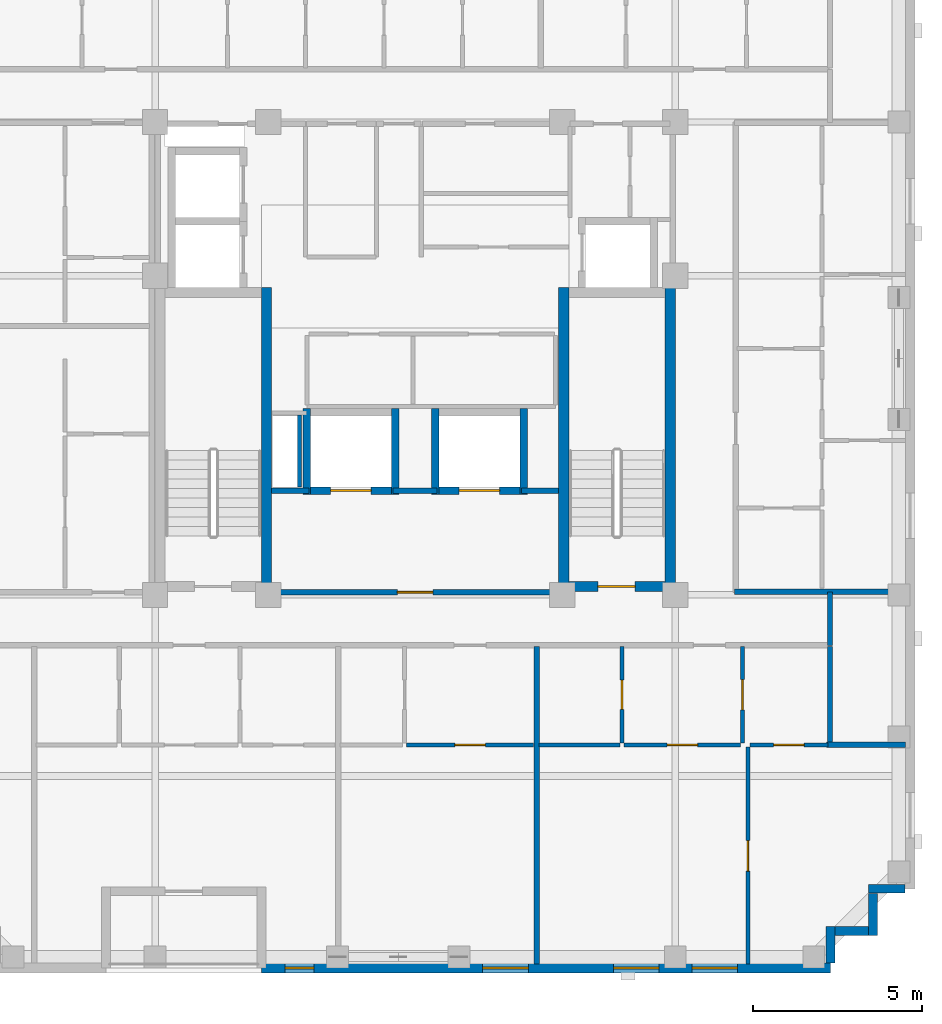
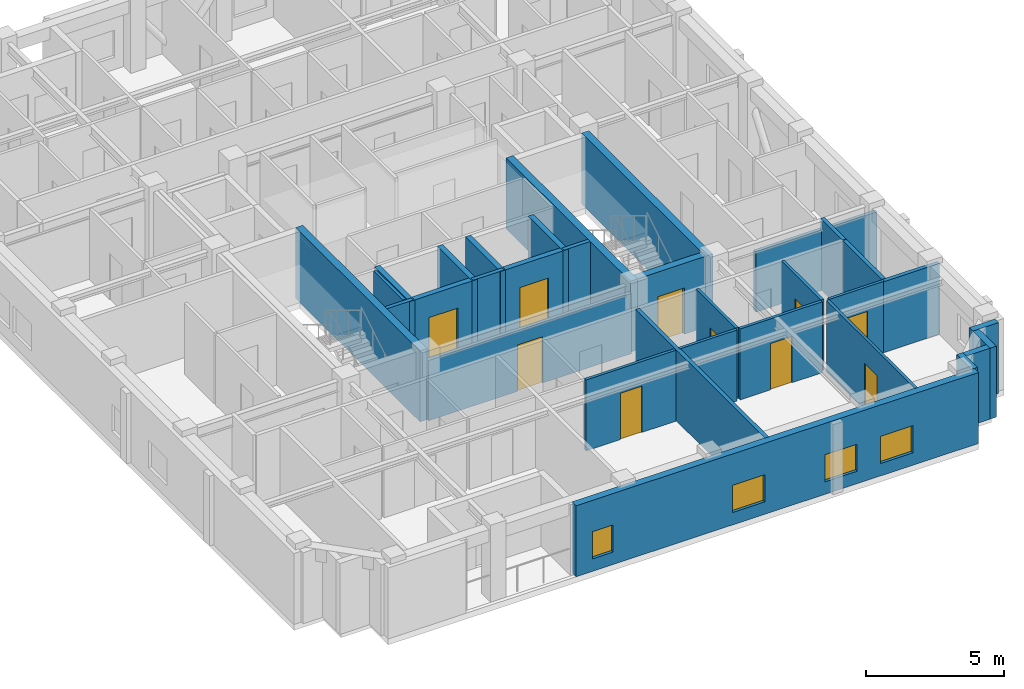
# One storey, part 3 of 11: 32 walls, 10 doors, 4 windows, 14 openings.
"""IFC4 building model written with IfcOpenShell, lengths in metres."""

from ifc_helpers import new_model, si_unit, derived_unit, direction, frame, frame_2d, origin, place, context, subcontext, project, spatial, rectangle, extrude, material, layer, layer_set, type_object, element, fill, save


model = new_model("IFC4")

# Units and contexts
model_context = context("Model", 3, precision=1e-05, world=origin(), true_north=direction((0.0, 1.0)))
body_context = subcontext(model_context, "Body", "Model", "MODEL_VIEW")
ifc_project = project(units=[si_unit("LENGTHUNIT", "METRE"), si_unit("AREAUNIT", "SQUARE_METRE"), si_unit("VOLUMEUNIT", "CUBIC_METRE"), si_unit("PLANEANGLEUNIT", "RADIAN"), si_unit("MASSUNIT", "GRAM", prefix="KILO"), derived_unit("THERMALTRANSMITTANCEUNIT", [(si_unit("MASSUNIT", "GRAM", prefix="KILO"), 1), (si_unit("TIMEUNIT", "SECOND"), -3), (si_unit("THERMODYNAMICTEMPERATUREUNIT", "KELVIN"), -1)])], contexts=[model_context])

# Site, building, storey
site_placement = place(None, origin())
site = spatial("IfcSite", under=ifc_project, at=site_placement, CompositionType="ELEMENT")
building_placement = place(site_placement, origin())
building = spatial("IfcBuilding", under=site, at=building_placement, Name="Korrvale Station Residences", CompositionType="ELEMENT")
storey_placement = place(building_placement, frame((0.0, 0.0, 251.300048828125)))
storey = spatial("IfcBuildingStorey", under=building, at=storey_placement, Name="L73", CompositionType="ELEMENT", Elevation=251.300048828125)

# Walls
ifc_material_1 = material(Name="Concrete C50/60", Category="concrete")
ifc_layer_1 = layer(ifc_material_1, 0.300048828125, Name="Concrete C50/60")
ifc_layer_set_1 = layer_set([ifc_layer_1], Name="Concrete C50/60")
wall_type_1 = type_object("IfcWallType", Name="WAL-CORE-300-C50", PredefinedType="SHEAR", material=ifc_layer_set_1)
for number, where, z_axis, x_axis, name in (
    (1, (21.10009765625, 15.10009765625, 0.0), (0.0, 0.0, 1.0), (0.0, 1.0, 0.0), "L73 ST-1 Core Shear Wall East"),
    (2, (29.89990234375, 15.10009765625, 0.0), (0.0, 0.0, 1.0), (0.0, 1.0, 0.0), "L73 ST-2 Core Shear Wall West"),
    (3, (33.050048828125, 15.10009765625, 0.0), (0.0, 0.0, 1.0), (0.0, 1.0, 0.0), "L73 ST-2 Core Shear Wall East"),
):
    element("IfcWall", number, at=place(storey_placement, frame(where, z_axis=z_axis, x_axis=x_axis)), inside=storey, type_object=wall_type_1, Name=name, PredefinedType="SHEAR", context=body_context, shape_type="SweptSolid", body=[
        extrude(rectangle(XDim=9.0, YDim=0.300048828125, at=frame_2d((4.5, 0.0))), origin(), (0.0, 0.0, 1.0), 3.139892578125),
    ])

# Wall, opening, door
wall_1_placement = place(storey_placement, frame((30.050048828125, 15.25, 0.0), z_axis=(0.0, 0.0, 1.0), x_axis=(1.0, 0.0, 0.0)))
wall_1 = element("IfcWall", 4, at=wall_1_placement, inside=storey, type_object=wall_type_1, Name="L73 ST-2 Core Shear Wall South", PredefinedType="SHEAR", context=body_context, shape_type="SweptSolid", body=[
    extrude(rectangle(XDim=2.849853515625, YDim=0.300048828125, at=frame_2d((1.4248046875, 0.0))), origin(), (0.0, 0.0, 1.0), 3.139892578125),
])
opening_1_placement = place(wall_1_placement, frame((0.860107421875, 0.0, 0.0)))
opening_1 = element("IfcOpeningElement", 5, at=opening_1_placement, cuts=wall_1, Name="Opening SD-1100", PredefinedType="OPENING", context=body_context, shape_type="SweptSolid", body=[
    extrude(rectangle(XDim=1.10009765625, YDim=2.050048828125, at=frame_2d((0.550048828125, 1.02490234375))), frame((0.0, 0.16015625, 0.0), z_axis=(0.0, -1.0, 0.0), x_axis=(1.0, 0.0, 0.0)), (0.0, 0.0, 1.0), 0.320068359375),
])
ifc_material_2 = material(Name="Hollow-metal fire-rated stair door with closer", Category="steel")
door_type_1 = type_object("IfcDoorType", Name="DR-STAIR-1100", OperationType="NOTDEFINED", PredefinedType="DOOR", material=ifc_material_2)
door_1_placement = place(opening_1_placement, origin())
door_1 = element("IfcDoor", 6, at=door_1_placement, inside=storey, type_object=door_type_1, Name="L73 ST-2 Exit Stair Door", OperationType="SINGLE_SWING_RIGHT", OverallHeight=2.050048828125, OverallWidth=1.10009765625, PredefinedType="DOOR", context=body_context, shape_type="SweptSolid", body=[
    extrude(rectangle(XDim=1.10009765625, YDim=2.050048828125, at=frame_2d((0.550048828125, 1.02490234375))), frame((0.0, 0.02490234375, 0.0), z_axis=(0.0, -1.0, 0.0), x_axis=(1.0, 0.0, 0.0)), (0.0, 0.0, 1.0), 0.050048828125),
])
fill(opening_1, door_1)

# Walls
ifc_material_3 = material(Name="Precast concrete C45/55", Category="concrete")
ifc_layer_2 = layer(ifc_material_3, 0.260009765625, Name="Precast concrete C45/55")
ifc_layer_set_2 = layer_set([ifc_layer_2], Name="Precast concrete C45/55")
wall_type_2 = type_object("IfcWallType", Name="WAL-EXT-LOG260", PredefinedType="SOLIDWALL", material=ifc_layer_set_2)
wall_2_placement = place(storey_placement, frame((39.998046875, 6.300048828125, 0.0), z_axis=(0.0, 0.0, 1.0), x_axis=(-1.0, 0.0, 0.0)))
element("IfcWall", 7, at=wall_2_placement, inside=storey, type_object=wall_type_2, Name="L73 Serrated Corner Precast Step SE-1", PredefinedType="SOLIDWALL", context=body_context, shape_type="SweptSolid", body=[
    extrude(rectangle(XDim=1.078125, YDim=0.260009765625, at=frame_2d((0.5390625, 0.0))), origin(), (0.0, 0.0, 1.0), 3.139892578125),
])
wall_3_placement = place(storey_placement, frame((39.050048828125, 6.16796875, 0.0), z_axis=(0.0, 0.0, 1.0), x_axis=(0.0, -1.0, 0.0)))
element("IfcWall", 8, at=wall_3_placement, inside=storey, type_object=wall_type_2, Name="L73 Serrated Corner Precast Step SE-2", PredefinedType="SOLIDWALL", context=body_context, shape_type="SweptSolid", body=[
    extrude(rectangle(XDim=1.248046875, YDim=0.260009765625, at=frame_2d((0.6240234375, 0.0))), origin(), (0.0, 0.0, 1.0), 3.139892578125),
])
wall_4_placement = place(storey_placement, frame((38.91796875, 5.050048828125, 0.0), z_axis=(0.0, 0.0, 1.0), x_axis=(-1.0, 0.0, 0.0)))
element("IfcWall", 9, at=wall_4_placement, inside=storey, type_object=wall_type_2, Name="L73 Serrated Corner Precast Step SE-3", PredefinedType="SOLIDWALL", context=body_context, shape_type="SweptSolid", body=[
    extrude(rectangle(XDim=0.986083984375, YDim=0.260009765625, at=frame_2d((0.4931640625, 0.0))), origin(), (0.0, 0.0, 1.0), 3.139892578125),
])
wall_5_placement = place(storey_placement, frame((37.800048828125, 5.179931640625, 0.0), z_axis=(0.0, 0.0, 1.0), x_axis=(0.0, -1.0, 0.0)))
element("IfcWall", 10, at=wall_5_placement, inside=storey, type_object=wall_type_2, Name="L73 Serrated Corner Precast Step SE-4", PredefinedType="SOLIDWALL", context=body_context, shape_type="SweptSolid", body=[
    extrude(rectangle(XDim=1.077880859375, YDim=0.260009765625, at=frame_2d((0.5390625, 0.0))), origin(), (0.0, 0.0, 1.0), 3.139892578125),
])

# Wall, openings, windows
ifc_layer_3 = layer(ifc_material_3, 0.300048828125, Name="Precast concrete C45/55")
ifc_layer_set_3 = layer_set([ifc_layer_3], Name="Precast concrete C45/55")
wall_type_3 = type_object("IfcWallType", Name="WAL-EXT-PC300", PredefinedType="SOLIDWALL", material=ifc_layer_set_3)
wall_6_placement = place(storey_placement, frame((37.800048828125, 3.949951171875, 0.0), z_axis=(0.0, 0.0, 1.0), x_axis=(-1.0, 0.0, 0.0)))
wall_6 = element("IfcWall", 11, at=wall_6_placement, inside=storey, type_object=wall_type_3, Name="L73 South Exterior Precast Wall 1", PredefinedType="SOLIDWALL", context=body_context, shape_type="SweptSolid", body=[
    extrude(rectangle(XDim=16.85009765625, YDim=0.300048828125, at=frame_2d((8.425048828125, 0.0))), origin(), (0.0, 0.0, 1.0), 3.139892578125),
])
opening_2_placement = place(wall_6_placement, frame((15.300048828125, 0.0, 0.550048828125)))
opening_2 = element("IfcOpeningElement", 12, at=opening_2_placement, cuts=wall_6, Name="Opening W-11", PredefinedType="OPENING", context=body_context, shape_type="SweptSolid", body=[
    extrude(rectangle(XDim=0.85009765625, YDim=1.199951171875, at=frame_2d((0.425048828125, 0.60009765625))), frame((0.0, 0.16015625, 0.0), z_axis=(0.0, -1.0, 0.0), x_axis=(1.0, 0.0, 0.0)), (0.0, 0.0, 1.0), 0.320068359375),
])
opening_3_placement = place(wall_6_placement, frame((8.949951171875, 0.0, 0.550048828125)))
opening_3 = element("IfcOpeningElement", 13, at=opening_3_placement, cuts=wall_6, Name="Opening W-10", PredefinedType="OPENING", context=body_context, shape_type="SweptSolid", body=[
    extrude(rectangle(XDim=1.35009765625, YDim=1.199951171875, at=frame_2d((0.675048828125, 0.60009765625))), frame((0.0, 0.16015625, 0.0), z_axis=(0.0, -1.0, 0.0), x_axis=(1.0, 0.0, 0.0)), (0.0, 0.0, 1.0), 0.320068359375),
])
opening_4_placement = place(wall_6_placement, frame((5.0849609375, 0.0, 0.550048828125)))
opening_4 = element("IfcOpeningElement", 14, at=opening_4_placement, cuts=wall_6, Name="Opening W-10", PredefinedType="OPENING", context=body_context, shape_type="SweptSolid", body=[
    extrude(rectangle(XDim=1.35009765625, YDim=1.199951171875, at=frame_2d((0.675048828125, 0.60009765625))), frame((0.0, 0.16015625, 0.0), z_axis=(0.0, -1.0, 0.0), x_axis=(1.0, 0.0, 0.0)), (0.0, 0.0, 1.0), 0.320068359375),
])
opening_5_placement = place(wall_6_placement, frame((2.757080078125, 0.0, 0.550048828125)))
opening_5 = element("IfcOpeningElement", 15, at=opening_5_placement, cuts=wall_6, Name="Opening W-10", PredefinedType="OPENING", context=body_context, shape_type="SweptSolid", body=[
    extrude(rectangle(XDim=1.35009765625, YDim=1.199951171875, at=frame_2d((0.675048828125, 0.60009765625))), frame((0.0, 0.16015625, 0.0), z_axis=(0.0, -1.0, 0.0), x_axis=(1.0, 0.0, 0.0)), (0.0, 0.0, 1.0), 0.320068359375),
])
ifc_material_4 = material(Name="Thermally broken aluminium frame with triple low-e glazing", Category="aluminium")
window_type_1 = type_object("IfcWindowType", Name="WIN-W10", PartitioningType="SINGLE_PANEL", PredefinedType="WINDOW", material=ifc_material_4)
window_1_placement = place(opening_3_placement, origin())
window_1 = element("IfcWindow", 16, at=window_1_placement, inside=storey, type_object=window_type_1, Name="L73 Punched Window 02", OverallHeight=1.199951171875, OverallWidth=1.35009765625, PartitioningType="SINGLE_PANEL", PredefinedType="WINDOW", context=body_context, shape_type="SweptSolid", body=[
    extrude(rectangle(XDim=1.35009765625, YDim=1.199951171875, at=frame_2d((0.675048828125, 0.60009765625))), frame((0.0, 0.030029296875, 0.0), z_axis=(0.0, -1.0, 0.0), x_axis=(1.0, 0.0, 0.0)), (0.0, 0.0, 1.0), 0.06005859375),
])
fill(opening_3, window_1)
window_2_placement = place(opening_4_placement, origin())
window_2 = element("IfcWindow", 17, at=window_2_placement, inside=storey, type_object=window_type_1, Name="L73 Punched Window 03", OverallHeight=1.199951171875, OverallWidth=1.35009765625, PartitioningType="SINGLE_PANEL", PredefinedType="WINDOW", context=body_context, shape_type="SweptSolid", body=[
    extrude(rectangle(XDim=1.35009765625, YDim=1.199951171875, at=frame_2d((0.675048828125, 0.60009765625))), frame((0.0, 0.030029296875, 0.0), z_axis=(0.0, -1.0, 0.0), x_axis=(1.0, 0.0, 0.0)), (0.0, 0.0, 1.0), 0.06005859375),
])
fill(opening_4, window_2)
window_3_placement = place(opening_5_placement, origin())
window_3 = element("IfcWindow", 18, at=window_3_placement, inside=storey, type_object=window_type_1, Name="L73 Punched Window 04", OverallHeight=1.199951171875, OverallWidth=1.35009765625, PartitioningType="SINGLE_PANEL", PredefinedType="WINDOW", context=body_context, shape_type="SweptSolid", body=[
    extrude(rectangle(XDim=1.35009765625, YDim=1.199951171875, at=frame_2d((0.675048828125, 0.60009765625))), frame((0.0, 0.030029296875, 0.0), z_axis=(0.0, -1.0, 0.0), x_axis=(1.0, 0.0, 0.0)), (0.0, 0.0, 1.0), 0.06005859375),
])
fill(opening_5, window_3)
window_type_2 = type_object("IfcWindowType", Name="WIN-W11", PartitioningType="SINGLE_PANEL", PredefinedType="WINDOW", material=ifc_material_4)
window_4_placement = place(opening_2_placement, origin())
window_4 = element("IfcWindow", 19, at=window_4_placement, inside=storey, type_object=window_type_2, Name="L73 Punched Window 01", OverallHeight=1.199951171875, OverallWidth=0.85009765625, PartitioningType="SINGLE_PANEL", PredefinedType="WINDOW", context=body_context, shape_type="SweptSolid", body=[
    extrude(rectangle(XDim=0.85009765625, YDim=1.199951171875, at=frame_2d((0.425048828125, 0.60009765625))), frame((0.0, 0.030029296875, 0.0), z_axis=(0.0, -1.0, 0.0), x_axis=(1.0, 0.0, 0.0)), (0.0, 0.0, 1.0), 0.06005859375),
])
fill(opening_2, window_4)

# Wall
ifc_material_5 = material(Name="Acoustic steel-stud gypsum board partition", Category="steel")
ifc_layer_4 = layer(ifc_material_5, 0.1201171875, Name="Acoustic steel-stud gypsum board partition")
ifc_layer_set_4 = layer_set([ifc_layer_4], Name="Acoustic steel-stud gypsum board partition")
wall_type_4 = type_object("IfcWallType", Name="WAL-PART-125", PredefinedType="PARTITIONING", material=ifc_layer_set_4)
wall_7_placement = place(storey_placement, frame((22.080078125, 18.199951171875, 0.0), z_axis=(0.0, 0.0, 1.0), x_axis=(0.0, 1.0, 0.0)))
element("IfcWall", 20, at=wall_7_placement, inside=storey, type_object=wall_type_4, Name="L73 Core Partition CW-RSWT", PredefinedType="PARTITIONING", context=body_context, shape_type="SweptSolid", body=[
    extrude(rectangle(XDim=2.1201171875, YDim=0.1201171875, at=frame_2d((1.06005859375, 0.0))), origin(), (0.0, 0.0, 1.0), 3.139892578125),
])

# Wall, opening, door
wall_8_placement = place(storey_placement, frame((25.25, 10.56005859375, 0.0), z_axis=(0.0, 0.0, 1.0), x_axis=(1.0, 0.0, 0.0)))
wall_8 = element("IfcWall", 21, at=wall_8_placement, inside=storey, type_object=wall_type_4, Name="L73 Suite Partition U02-H12", PredefinedType="PARTITIONING", context=body_context, shape_type="SweptSolid", body=[
    extrude(rectangle(XDim=3.7548828125, YDim=0.1201171875, at=frame_2d((1.87744140625, 0.0))), origin(), (0.0, 0.0, 1.0), 3.139892578125),
])
opening_6_placement = place(wall_8_placement, frame((1.427001953125, 0.0, 0.0)))
opening_6 = element("IfcOpeningElement", 22, at=opening_6_placement, cuts=wall_8, Name="Opening DI-900", PredefinedType="OPENING", context=body_context, shape_type="SweptSolid", body=[
    extrude(rectangle(XDim=0.89990234375, YDim=2.050048828125, at=frame_2d((0.449951171875, 1.02490234375))), frame((0.0, 0.070068359375, 0.0), z_axis=(0.0, -1.0, 0.0), x_axis=(1.0, 0.0, 0.0)), (0.0, 0.0, 1.0), 0.14013671875),
])
ifc_material_6 = material(Name="Painted solid-core timber interior room door", Category="wood")
door_type_2 = type_object("IfcDoorType", Name="DR-INT-900", OperationType="NOTDEFINED", PredefinedType="DOOR", material=ifc_material_6)
door_2_placement = place(opening_6_placement, origin())
door_2 = element("IfcDoor", 23, at=door_2_placement, inside=storey, type_object=door_type_2, Name="L73 Studio Apartment L73-U02 Kitchen Door", OperationType="SINGLE_SWING_RIGHT", OverallHeight=2.050048828125, OverallWidth=0.89990234375, PredefinedType="DOOR", context=body_context, shape_type="SweptSolid", body=[
    extrude(rectangle(XDim=0.89990234375, YDim=2.050048828125, at=frame_2d((0.449951171875, 1.02490234375))), frame((0.0, 0.02490234375, 0.0), z_axis=(0.0, -1.0, 0.0), x_axis=(1.0, 0.0, 0.0)), (0.0, 0.0, 1.0), 0.050048828125),
])
fill(opening_6, door_2)

wall_9_placement = place(storey_placement, frame((31.625, 10.6201171875, 0.0), z_axis=(0.0, 0.0, 1.0), x_axis=(0.0, 1.0, 0.0)))
wall_9 = element("IfcWall", 24, at=wall_9_placement, inside=storey, type_object=wall_type_4, Name="L73 Suite Partition U03-V01", PredefinedType="PARTITIONING", context=body_context, shape_type="SweptSolid", body=[
    extrude(rectangle(XDim=2.849853515625, YDim=0.1201171875, at=frame_2d((1.4248046875, 0.0))), origin(), (0.0, 0.0, 1.0), 3.139892578125),
])
opening_7_placement = place(wall_9_placement, frame((0.9951171875, 0.0, 0.0)))
opening_7 = element("IfcOpeningElement", 25, at=opening_7_placement, cuts=wall_9, Name="Opening DB-860", PredefinedType="OPENING", context=body_context, shape_type="SweptSolid", body=[
    extrude(rectangle(XDim=0.860107421875, YDim=2.050048828125, at=frame_2d((0.43017578125, 1.02490234375))), frame((0.0, 0.070068359375, 0.0), z_axis=(0.0, -1.0, 0.0), x_axis=(1.0, 0.0, 0.0)), (0.0, 0.0, 1.0), 0.14013671875),
])
ifc_material_7 = material(Name="Moisture-resistant solid-core bathroom door", Category="timber")
door_type_3 = type_object("IfcDoorType", Name="DR-BATH-860", OperationType="NOTDEFINED", PredefinedType="DOOR", material=ifc_material_7)
door_3_placement = place(opening_7_placement, origin())
door_3 = element("IfcDoor", 26, at=door_3_placement, inside=storey, type_object=door_type_3, Name="L73 Apartment 1BR L73-U03 Bathroom Door", OperationType="SINGLE_SWING_LEFT", OverallHeight=2.050048828125, OverallWidth=0.860107421875, PredefinedType="DOOR", context=body_context, shape_type="SweptSolid", body=[
    extrude(rectangle(XDim=0.860107421875, YDim=2.050048828125, at=frame_2d((0.43017578125, 1.02490234375))), frame((0.0, 0.02490234375, 0.0), z_axis=(0.0, -1.0, 0.0), x_axis=(1.0, 0.0, 0.0)), (0.0, 0.0, 1.0), 0.050048828125),
])
fill(opening_7, door_3)

# Wall
wall_10_placement = place(storey_placement, frame((29.1650390625, 10.56005859375, 0.0), z_axis=(0.0, 0.0, 1.0), x_axis=(1.0, 0.0, 0.0)))
element("IfcWall", 27, at=wall_10_placement, inside=storey, type_object=wall_type_4, Name="L73 Suite Partition U03-H03", PredefinedType="PARTITIONING", context=body_context, shape_type="SweptSolid", body=[
    extrude(rectangle(XDim=2.39990234375, YDim=0.1201171875, at=frame_2d((1.199951171875, 0.0))), origin(), (0.0, 0.0, 1.0), 3.139892578125),
])

# Wall, opening, door
wall_11_placement = place(storey_placement, frame((35.195068359375, 10.6201171875, 0.0), z_axis=(0.0, 0.0, 1.0), x_axis=(0.0, 1.0, 0.0)))
wall_11 = element("IfcWall", 28, at=wall_11_placement, inside=storey, type_object=wall_type_4, Name="L73 Suite Partition U03-V12", PredefinedType="PARTITIONING", context=body_context, shape_type="SweptSolid", body=[
    extrude(rectangle(XDim=2.849853515625, YDim=0.1201171875, at=frame_2d((1.4248046875, 0.0))), origin(), (0.0, 0.0, 1.0), 3.139892578125),
])
opening_8_placement = place(wall_11_placement, frame((0.97509765625, 0.0, 0.0)))
opening_8 = element("IfcOpeningElement", 29, at=opening_8_placement, cuts=wall_11, Name="Opening DI-900", PredefinedType="OPENING", context=body_context, shape_type="SweptSolid", body=[
    extrude(rectangle(XDim=0.89990234375, YDim=2.050048828125, at=frame_2d((0.449951171875, 1.02490234375))), frame((0.0, 0.070068359375, 0.0), z_axis=(0.0, -1.0, 0.0), x_axis=(1.0, 0.0, 0.0)), (0.0, 0.0, 1.0), 0.14013671875),
])
door_4_placement = place(opening_8_placement, origin())
door_4 = element("IfcDoor", 30, at=door_4_placement, inside=storey, type_object=door_type_2, Name="L73 Apartment 1BR L73-U03 Kitchen Door", OperationType="SINGLE_SWING_RIGHT", OverallHeight=2.050048828125, OverallWidth=0.89990234375, PredefinedType="DOOR", context=body_context, shape_type="SweptSolid", body=[
    extrude(rectangle(XDim=0.89990234375, YDim=2.050048828125, at=frame_2d((0.449951171875, 1.02490234375))), frame((0.0, 0.02490234375, 0.0), z_axis=(0.0, -1.0, 0.0), x_axis=(1.0, 0.0, 0.0)), (0.0, 0.0, 1.0), 0.050048828125),
])
fill(opening_8, door_4)

wall_12_placement = place(storey_placement, frame((31.68505859375, 10.56005859375, 0.0), z_axis=(0.0, 0.0, 1.0), x_axis=(1.0, 0.0, 0.0)))
wall_12 = element("IfcWall", 31, at=wall_12_placement, inside=storey, type_object=wall_type_4, Name="L73 Suite Partition U03-H13", PredefinedType="PARTITIONING", context=body_context, shape_type="SweptSolid", body=[
    extrude(rectangle(XDim=3.449951171875, YDim=0.1201171875, at=frame_2d((1.72509765625, 0.0))), origin(), (0.0, 0.0, 1.0), 3.139892578125),
])
opening_9_placement = place(wall_12_placement, frame((1.27490234375, 0.0, 0.0)))
opening_9 = element("IfcOpeningElement", 32, at=opening_9_placement, cuts=wall_12, Name="Opening DI-900", PredefinedType="OPENING", context=body_context, shape_type="SweptSolid", body=[
    extrude(rectangle(XDim=0.89990234375, YDim=2.050048828125, at=frame_2d((0.449951171875, 1.02490234375))), frame((0.0, 0.070068359375, 0.0), z_axis=(0.0, -1.0, 0.0), x_axis=(1.0, 0.0, 0.0)), (0.0, 0.0, 1.0), 0.14013671875),
])
door_5_placement = place(opening_9_placement, origin())
door_5 = element("IfcDoor", 33, at=door_5_placement, inside=storey, type_object=door_type_2, Name="L73 Apartment 1BR L73-U03 Kitchen Door", OperationType="SINGLE_SWING_LEFT", OverallHeight=2.050048828125, OverallWidth=0.89990234375, PredefinedType="DOOR", context=body_context, shape_type="SweptSolid", body=[
    extrude(rectangle(XDim=0.89990234375, YDim=2.050048828125, at=frame_2d((0.449951171875, 1.02490234375))), frame((0.0, 0.02490234375, 0.0), z_axis=(0.0, -1.0, 0.0), x_axis=(1.0, 0.0, 0.0)), (0.0, 0.0, 1.0), 0.050048828125),
])
fill(opening_9, door_5)

wall_13_placement = place(storey_placement, frame((35.409912109375, 10.56005859375, 0.0), z_axis=(0.0, 0.0, 1.0), x_axis=(1.0, 0.0, 0.0)))
wall_13 = element("IfcWall", 34, at=wall_13_placement, inside=storey, type_object=wall_type_4, Name="L73 Suite Partition U03-H24", PredefinedType="PARTITIONING", context=body_context, shape_type="SweptSolid", body=[
    extrude(rectangle(XDim=2.31005859375, YDim=0.1201171875, at=frame_2d((1.155029296875, 0.0))), origin(), (0.0, 0.0, 1.0), 3.139892578125),
])
opening_10_placement = place(wall_13_placement, frame((0.705078125, 0.0, 0.0)))
opening_10 = element("IfcOpeningElement", 35, at=opening_10_placement, cuts=wall_13, Name="Opening DI-900", PredefinedType="OPENING", context=body_context, shape_type="SweptSolid", body=[
    extrude(rectangle(XDim=0.89990234375, YDim=2.050048828125, at=frame_2d((0.449951171875, 1.02490234375))), frame((0.0, 0.070068359375, 0.0), z_axis=(0.0, -1.0, 0.0), x_axis=(1.0, 0.0, 0.0)), (0.0, 0.0, 1.0), 0.14013671875),
])
door_6_placement = place(opening_10_placement, origin())
door_6 = element("IfcDoor", 36, at=door_6_placement, inside=storey, type_object=door_type_2, Name="L73 Apartment 1BR L73-U03 Utility and Laundry Room Door", OperationType="SINGLE_SWING_RIGHT", OverallHeight=2.050048828125, OverallWidth=0.89990234375, PredefinedType="DOOR", context=body_context, shape_type="SweptSolid", body=[
    extrude(rectangle(XDim=0.89990234375, YDim=2.050048828125, at=frame_2d((0.449951171875, 1.02490234375))), frame((0.0, 0.02490234375, 0.0), z_axis=(0.0, -1.0, 0.0), x_axis=(1.0, 0.0, 0.0)), (0.0, 0.0, 1.0), 0.050048828125),
])
fill(opening_10, door_6)

wall_14_placement = place(storey_placement, frame((35.35009765625, 4.080078125, 0.0), z_axis=(0.0, 0.0, 1.0), x_axis=(0.0, 1.0, 0.0)))
wall_14 = element("IfcWall", 37, at=wall_14_placement, inside=storey, type_object=wall_type_4, Name="L73 Suite Partition U03-V34", PredefinedType="PARTITIONING", context=body_context, shape_type="SweptSolid", body=[
    extrude(rectangle(XDim=6.419921875, YDim=0.1201171875, at=frame_2d((3.2099609375, 0.0))), origin(), (0.0, 0.0, 1.0), 3.139892578125),
])
opening_11_placement = place(wall_14_placement, frame((2.7451171875, 0.0, 0.0)))
opening_11 = element("IfcOpeningElement", 38, at=opening_11_placement, cuts=wall_14, Name="Opening DI-900", PredefinedType="OPENING", context=body_context, shape_type="SweptSolid", body=[
    extrude(rectangle(XDim=0.89990234375, YDim=2.050048828125, at=frame_2d((0.449951171875, 1.02490234375))), frame((0.0, 0.070068359375, 0.0), z_axis=(0.0, -1.0, 0.0), x_axis=(1.0, 0.0, 0.0)), (0.0, 0.0, 1.0), 0.14013671875),
])
door_7_placement = place(opening_11_placement, origin())
door_7 = element("IfcDoor", 39, at=door_7_placement, inside=storey, type_object=door_type_2, Name="L73 Apartment 1BR L73-U03 Living and Dining Room Door", OperationType="SINGLE_SWING_LEFT", OverallHeight=2.050048828125, OverallWidth=0.89990234375, PredefinedType="DOOR", context=body_context, shape_type="SweptSolid", body=[
    extrude(rectangle(XDim=0.89990234375, YDim=2.050048828125, at=frame_2d((0.449951171875, 1.02490234375))), frame((0.0, 0.02490234375, 0.0), z_axis=(0.0, -1.0, 0.0), x_axis=(1.0, 0.0, 0.0)), (0.0, 0.0, 1.0), 0.050048828125),
])
fill(opening_11, door_7)

ifc_material_8 = material(Name="Fire-rated twin-stud gypsum and mineral wool shaftwall assembly", Category="gypsum")
ifc_layer_5 = layer(ifc_material_8, 0.159912109375, Name="Fire-rated twin-stud gypsum and mineral wool shaftwall assembly")
ifc_layer_set_5 = layer_set([ifc_layer_5], Name="Fire-rated twin-stud gypsum and mineral wool shaftwall assembly")
wall_type_5 = type_object("IfcWallType", Name="WAL-PART-200", PredefinedType="PARTITIONING", material=ifc_layer_set_5)
wall_15_placement = place(storey_placement, frame((21.25, 15.080078125, 0.0), z_axis=(0.0, 0.0, 1.0), x_axis=(1.0, 0.0, 0.0)))
wall_15 = element("IfcWall", 40, at=wall_15_placement, inside=storey, type_object=wall_type_5, Name="L73 Core Partition CW-FFL-S", PredefinedType="PARTITIONING", context=body_context, shape_type="SweptSolid", body=[
    extrude(rectangle(XDim=8.5, YDim=0.159912109375, at=frame_2d((4.25, 0.0))), origin(), (0.0, 0.0, 1.0), 2.66796875),
])
opening_12_placement = place(wall_15_placement, frame((3.72509765625, 0.0, 0.0)))
opening_12 = element("IfcOpeningElement", 41, at=opening_12_placement, cuts=wall_15, Name="Opening FD-1050", PredefinedType="OPENING", context=body_context, shape_type="SweptSolid", body=[
    extrude(rectangle(XDim=1.050048828125, YDim=2.050048828125, at=frame_2d((0.52490234375, 1.02490234375))), frame((0.0, 0.08984375, 0.0), z_axis=(0.0, -1.0, 0.0), x_axis=(1.0, 0.0, 0.0)), (0.0, 0.0, 1.0), 0.179931640625),
])
ifc_material_9 = material(Name="Fire-rated mineral-core timber lobby door", Category="wood")
door_type_4 = type_object("IfcDoorType", Name="DR-CORE-1050", OperationType="NOTDEFINED", PredefinedType="DOOR", material=ifc_material_9)
door_8_placement = place(opening_12_placement, origin())
door_8 = element("IfcDoor", 42, at=door_8_placement, inside=storey, type_object=door_type_4, Name="L73 Firefighting Lobby Entry Door", OperationType="SINGLE_SWING_LEFT", OverallHeight=2.050048828125, OverallWidth=1.050048828125, PredefinedType="DOOR", context=body_context, shape_type="SweptSolid", body=[
    extrude(rectangle(XDim=1.050048828125, YDim=2.050048828125, at=frame_2d((0.52490234375, 1.02490234375))), frame((0.0, 0.02490234375, 0.0), z_axis=(0.0, -1.0, 0.0), x_axis=(1.0, 0.0, 0.0)), (0.0, 0.0, 1.0), 0.050048828125),
])
fill(opening_12, door_8)

# Walls
wall_16_placement = place(storey_placement, frame((21.25, 18.080078125, 0.0), z_axis=(0.0, 0.0, 1.0), x_axis=(1.0, 0.0, 0.0)))
element("IfcWall", 43, at=wall_16_placement, inside=storey, type_object=wall_type_5, Name="L73 Core Partition CW-FFL-N1", PredefinedType="PARTITIONING", context=body_context, shape_type="SweptSolid", body=[
    extrude(rectangle(XDim=1.10009765625, YDim=0.159912109375, at=frame_2d((0.550048828125, 0.0))), origin(), (0.0, 0.0, 1.0), 3.139892578125),
])
wall_17_placement = place(storey_placement, frame((24.85009765625, 18.080078125, 0.0), z_axis=(0.0, 0.0, 1.0), x_axis=(1.0, 0.0, 0.0)))
element("IfcWall", 44, at=wall_17_placement, inside=storey, type_object=wall_type_5, Name="L73 Core Partition CW-FFL-N2", PredefinedType="PARTITIONING", context=body_context, shape_type="SweptSolid", body=[
    extrude(rectangle(XDim=1.2998046875, YDim=0.159912109375, at=frame_2d((0.64990234375, 0.0))), origin(), (0.0, 0.0, 1.0), 3.139892578125),
])
wall_18_placement = place(storey_placement, frame((28.64990234375, 18.080078125, 0.0), z_axis=(0.0, 0.0, 1.0), x_axis=(1.0, 0.0, 0.0)))
element("IfcWall", 45, at=wall_18_placement, inside=storey, type_object=wall_type_5, Name="L73 Core Partition CW-FFL-N3", PredefinedType="PARTITIONING", context=body_context, shape_type="SweptSolid", body=[
    extrude(rectangle(XDim=1.10009765625, YDim=0.159912109375, at=frame_2d((0.550048828125, 0.0))), origin(), (0.0, 0.0, 1.0), 3.139892578125),
])
wall_19_placement = place(storey_placement, frame((37.780029296875, 13.510009765625, 0.0), z_axis=(0.0, 0.0, 1.0), x_axis=(0.0, 1.0, 0.0)))
element("IfcWall", 46, at=wall_19_placement, inside=storey, type_object=wall_type_5, Name="L73 Corridor South East Cap", PredefinedType="PARTITIONING", context=body_context, shape_type="SweptSolid", body=[
    extrude(rectangle(XDim=1.580078125, YDim=0.159912109375, at=frame_2d((0.7900390625, 0.0))), origin(), (0.0, 0.0, 1.0), 3.139892578125),
])
wall_20_placement = place(storey_placement, frame((34.949951171875, 15.090087890625, 0.0), z_axis=(0.0, 0.0, 1.0), x_axis=(1.0, 0.0, 0.0)))
element("IfcWall", 47, at=wall_20_placement, inside=storey, type_object=wall_type_5, Name="L73 East Wing South Corridor Wall", PredefinedType="PARTITIONING", context=body_context, shape_type="SweptSolid", body=[
    extrude(rectangle(XDim=5.070068359375, YDim=0.159912109375, at=frame_2d((2.53515625, 0.0))), origin(), (0.0, 0.0, 1.0), 2.66796875),
])
wall_21_placement = place(storey_placement, frame((37.679931640625, 10.56005859375, 0.0), z_axis=(0.0, 0.0, 1.0), x_axis=(1.0, 0.0, 0.0)))
element("IfcWall", 48, at=wall_21_placement, inside=storey, type_object=wall_type_5, Name="L73 Corner Step Wall U03-R", PredefinedType="PARTITIONING", context=body_context, shape_type="SweptSolid", body=[
    extrude(rectangle(XDim=2.340087890625, YDim=0.159912109375, at=frame_2d((1.169921875, 0.0))), origin(), (0.0, 0.0, 1.0), 3.139892578125),
])
wall_22_placement = place(storey_placement, frame((37.780029296875, 10.56005859375, 0.0), z_axis=(0.0, 0.0, 1.0), x_axis=(0.0, 1.0, 0.0)))
element("IfcWall", 49, at=wall_22_placement, inside=storey, type_object=wall_type_5, Name="L73 Corner Step Cheek U03-R", PredefinedType="PARTITIONING", context=body_context, shape_type="SweptSolid", body=[
    extrude(rectangle(XDim=2.909912109375, YDim=0.159912109375, at=frame_2d((1.455078125, 0.0))), origin(), (0.0, 0.0, 1.0), 3.139892578125),
])
wall_23_placement = place(storey_placement, frame((29.10498046875, 4.080078125, 0.0), z_axis=(0.0, 0.0, 1.0), x_axis=(0.0, 1.0, 0.0)))
element("IfcWall", 50, at=wall_23_placement, inside=storey, type_object=wall_type_5, Name="L73 Demising Wall U03-W", PredefinedType="PARTITIONING", context=body_context, shape_type="SweptSolid", body=[
    extrude(rectangle(XDim=9.389892578125, YDim=0.159912109375, at=frame_2d((4.69482421875, 0.0))), origin(), (0.0, 0.0, 1.0), 3.139892578125),
])

# Wall, opening, door
ifc_layer_6 = layer(ifc_material_1, 0.219970703125, Name="Concrete C50/60")
ifc_layer_set_6 = layer_set([ifc_layer_6], Name="Concrete C50/60")
wall_type_6 = type_object("IfcWallType", Name="WAL-SHAFT-220-C50", PredefinedType="SHEAR", material=ifc_layer_set_6)
wall_24_placement = place(storey_placement, frame((22.39990234375, 18.090087890625, 0.0), z_axis=(0.0, 0.0, 1.0), x_axis=(1.0, 0.0, 0.0)))
wall_24 = element("IfcWall", 51, at=wall_24_placement, inside=storey, type_object=wall_type_6, Name="L73 Elevator FFL-1 Hoistway Wall South", PredefinedType="SHEAR", context=body_context, shape_type="SweptSolid", body=[
    extrude(rectangle(XDim=2.400146484375, YDim=0.219970703125, at=frame_2d((1.2001953125, 0.0))), origin(), (0.0, 0.0, 1.0), 3.139892578125),
])
opening_13_placement = place(wall_24_placement, frame((0.60009765625, 0.0, 0.0)))
opening_13 = element("IfcOpeningElement", 52, at=opening_13_placement, cuts=wall_24, Name="Opening LD-FF1200", PredefinedType="OPENING", context=body_context, shape_type="SweptSolid", body=[
    extrude(rectangle(XDim=1.199951171875, YDim=2.14990234375, at=frame_2d((0.60009765625, 1.074951171875))), frame((0.0, 0.1201171875, 0.0), z_axis=(0.0, -1.0, 0.0), x_axis=(1.0, 0.0, 0.0)), (0.0, 0.0, 1.0), 0.239990234375),
])
ifc_material_10 = material(Name="Stainless-steel firefighter elevator landing sliding door", Category="steel")
door_type_5 = type_object("IfcDoorType", Name="DR-LIFT-FF1200", OperationType="SLIDING_TO_LEFT", PredefinedType="DOOR", material=ifc_material_10)
door_9_placement = place(opening_13_placement, origin())
door_9 = element("IfcDoor", 53, at=door_9_placement, inside=storey, type_object=door_type_5, Name="L73 Elevator FFL-1 Sliding Landing Door", OperationType="SLIDING_TO_LEFT", OverallHeight=2.14990234375, OverallWidth=1.199951171875, PredefinedType="DOOR", context=body_context, shape_type="SweptSolid", body=[
    extrude(rectangle(XDim=1.199951171875, YDim=2.14990234375, at=frame_2d((0.60009765625, 1.074951171875))), frame((0.0, 0.02490234375, 0.0), z_axis=(0.0, -1.0, 0.0), x_axis=(1.0, 0.0, 0.0)), (0.0, 0.0, 1.0), 0.050048828125),
])
fill(opening_13, door_9)

# Walls
for number, where, z_axis, x_axis, name in (
    (54, (22.2900390625, 17.97998046875, 0.0), (0.0, 0.0, 1.0), (0.0, 1.0, 0.0), "L73 Elevator FFL-1 Hoistway Wall West"),
    (55, (24.909912109375, 17.97998046875, 0.0), (0.0, 0.0, 1.0), (0.0, 1.0, 0.0), "L73 Elevator FFL-1 Hoistway Wall East"),
):
    element("IfcWall", number, at=place(storey_placement, frame(where, z_axis=z_axis, x_axis=x_axis)), inside=storey, type_object=wall_type_6, Name=name, PredefinedType="SHEAR", context=body_context, shape_type="SweptSolid", body=[
        extrude(rectangle(XDim=2.5400390625, YDim=0.219970703125, at=frame_2d((1.27001953125, 0.0))), origin(), (0.0, 0.0, 1.0), 3.139892578125),
    ])

# Wall, opening, door
wall_25_placement = place(storey_placement, frame((26.199951171875, 18.090087890625, 0.0), z_axis=(0.0, 0.0, 1.0), x_axis=(1.0, 0.0, 0.0)))
wall_25 = element("IfcWall", 56, at=wall_25_placement, inside=storey, type_object=wall_type_6, Name="L73 Elevator FFL-2 Hoistway Wall South", PredefinedType="SHEAR", context=body_context, shape_type="SweptSolid", body=[
    extrude(rectangle(XDim=2.400146484375, YDim=0.219970703125, at=frame_2d((1.2001953125, 0.0))), origin(), (0.0, 0.0, 1.0), 3.139892578125),
])
opening_14_placement = place(wall_25_placement, frame((0.60009765625, 0.0, 0.0)))
opening_14 = element("IfcOpeningElement", 57, at=opening_14_placement, cuts=wall_25, Name="Opening LD-FF1200", PredefinedType="OPENING", context=body_context, shape_type="SweptSolid", body=[
    extrude(rectangle(XDim=1.199951171875, YDim=2.14990234375, at=frame_2d((0.60009765625, 1.074951171875))), frame((0.0, 0.1201171875, 0.0), z_axis=(0.0, -1.0, 0.0), x_axis=(1.0, 0.0, 0.0)), (0.0, 0.0, 1.0), 0.239990234375),
])
door_10_placement = place(opening_14_placement, origin())
door_10 = element("IfcDoor", 58, at=door_10_placement, inside=storey, type_object=door_type_5, Name="L73 Elevator FFL-2 Sliding Landing Door", OperationType="SLIDING_TO_LEFT", OverallHeight=2.14990234375, OverallWidth=1.199951171875, PredefinedType="DOOR", context=body_context, shape_type="SweptSolid", body=[
    extrude(rectangle(XDim=1.199951171875, YDim=2.14990234375, at=frame_2d((0.60009765625, 1.074951171875))), frame((0.0, 0.02490234375, 0.0), z_axis=(0.0, -1.0, 0.0), x_axis=(1.0, 0.0, 0.0)), (0.0, 0.0, 1.0), 0.050048828125),
])
fill(opening_14, door_10)

# Walls
for number, where, z_axis, x_axis, name in (
    (59, (26.090087890625, 17.97998046875, 0.0), (0.0, 0.0, 1.0), (0.0, 1.0, 0.0), "L73 Elevator FFL-2 Hoistway Wall West"),
    (60, (28.7099609375, 17.97998046875, 0.0), (0.0, 0.0, 1.0), (0.0, 1.0, 0.0), "L73 Elevator FFL-2 Hoistway Wall East"),
):
    element("IfcWall", number, at=place(storey_placement, frame(where, z_axis=z_axis, x_axis=x_axis)), inside=storey, type_object=wall_type_6, Name=name, PredefinedType="SHEAR", context=body_context, shape_type="SweptSolid", body=[
        extrude(rectangle(XDim=2.5400390625, YDim=0.219970703125, at=frame_2d((1.27001953125, 0.0))), origin(), (0.0, 0.0, 1.0), 3.139892578125),
    ])

save(model, "model.ifc")
